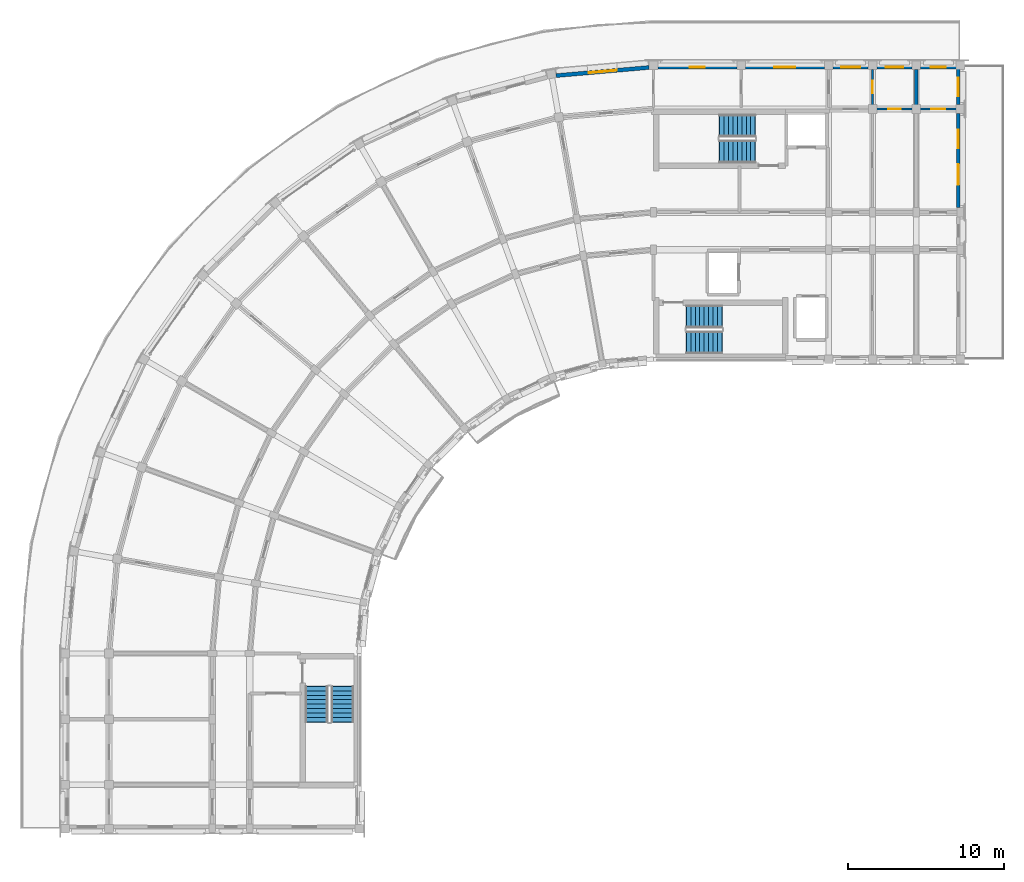
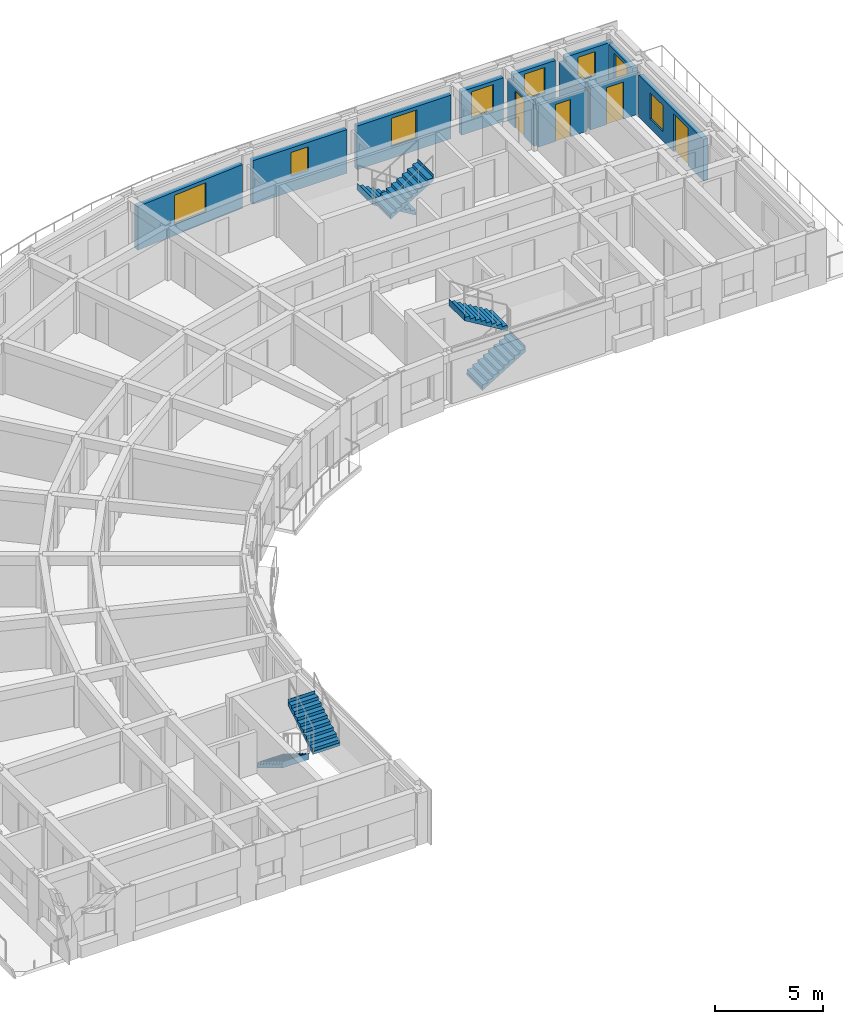
# One storey, part 11 of 16: 12 walls, 8 windows, 6 stair flights, 4 doors, 12 openings, 3 elements without a shape of their own.
"""IFC4 building model written with IfcOpenShell, lengths in metres."""

from ifc_helpers import new_model, si_unit, direction, frame, frame_2d, origin, place, context, subcontext, project, spatial, polyline, rectangle, outline, extrude, material, layer, layer_set, type_object, element, fill, aggregate, save


model = new_model("IFC4")

# Units and contexts
model_context = context("Model", 3, precision=1e-05, world=origin(), true_north=direction((0.0, 1.0)))
body_context = subcontext(model_context, "Body", "Model", "MODEL_VIEW")
ifc_project = project(units=[si_unit("LENGTHUNIT", "METRE"), si_unit("AREAUNIT", "SQUARE_METRE"), si_unit("VOLUMEUNIT", "CUBIC_METRE"), si_unit("PLANEANGLEUNIT", "RADIAN"), si_unit("MASSUNIT", "GRAM", prefix="KILO")], contexts=[model_context])

# Site, building, storey
site_placement = place(None, origin())
site = spatial("IfcSite", under=ifc_project, at=site_placement, CompositionType="ELEMENT")
building_placement = place(site_placement, origin())
building = spatial("IfcBuilding", under=site, at=building_placement, Name="Kiranvali Square Residences", CompositionType="ELEMENT")
storey_placement = place(building_placement, frame((0.0, 0.0, 46.5)))
storey = spatial("IfcBuildingStorey", under=building, at=storey_placement, Name="L14", CompositionType="ELEMENT", Elevation=46.5)

# Wall
ifc_material_1 = material(Name="Autoclaved aerated concrete blockwork masonry", Category="masonry")
ifc_layer_1 = layer(ifc_material_1, 0.219970703125)
ifc_layer_set_1 = layer_set([ifc_layer_1], Name="Autoclaved aerated concrete blockwork masonry")
wall_type_1 = type_object("IfcWallType", Name="WL-DEM-220", PredefinedType="STANDARD", material=ifc_layer_set_1)
wall_1_placement = place(storey_placement, frame((65.0, 122.699951171875, 0.0), z_axis=(0.0, 0.0, 1.0), x_axis=(0.0, 1.0, 0.0)))
element("IfcWall", 1, at=wall_1_placement, inside=storey, type_object=wall_type_1, Name="L14 architectural wall WL-L14-A-A1TO2-2", PredefinedType="STANDARD", context=body_context, shape_type="SweptSolid", body=[
    extrude(rectangle(XDim=2.420166015625, YDim=0.219970703125, at=frame_2d((1.2099609375, 0.0))), origin(), (0.0, 0.0, 1.0), 2.3720703125),
])

# Wall, opening, window
ifc_material_2 = material(Name="Breathable lime-rendered clay brick masonry", Category="masonry")
ifc_layer_2 = layer(ifc_material_2, 0.25)
ifc_layer_set_2 = layer_set([ifc_layer_2], Name="Breathable lime-rendered clay brick masonry")
wall_type_2 = type_object("IfcWallType", Name="WL-EXT-250", PredefinedType="STANDARD", material=ifc_layer_set_2)
wall_2_placement = place(storey_placement, frame((47.911376953125, 125.249267578125, 0.0), z_axis=(0.0, 0.0, 1.0), x_axis=(-0.996195052879, -0.087151687417, 0.0)))
wall_2 = element("IfcWall", 2, at=wall_2_placement, inside=storey, type_object=wall_type_2, Name="L14 exterior wall A-L14-CRV-00", PredefinedType="STANDARD", context=body_context, shape_type="SweptSolid", body=[
    extrude(rectangle(XDim=5.952880859375, YDim=0.25, at=frame_2d((2.9765625, 0.0))), origin(), (0.0, 0.0, 1.0), 2.47998046875),
])
opening_1_placement = place(wall_2_placement, frame((2.076416015625, 0.0, 0.6298828125)))
opening_1 = element("IfcOpeningElement", 3, at=opening_1_placement, cuts=wall_2, Name="Opening W-04", PredefinedType="OPENING", context=body_context, shape_type="SweptSolid", body=[
    extrude(rectangle(XDim=1.800048828125, YDim=1.64990234375, at=frame_2d((0.89990234375, 0.824951171875))), frame((0.0, 0.135009765625, 0.0), z_axis=(0.0, -1.0, 0.0), x_axis=(1.0, 0.0, 0.0)), (0.0, 0.0, 1.0), 0.27001953125),
])
ifc_material_3 = material(Name="Solar-control low-e double glazing", Category="glass")
window_type_1 = type_object("IfcWindowType", Name="WIN-RES-1800x1650", PartitioningType="DOUBLE_PANEL_VERTICAL", PredefinedType="WINDOW", material=ifc_material_3)
window_1_placement = place(opening_1_placement, origin())
window_1 = element("IfcWindow", 4, at=window_1_placement, inside=storey, type_object=window_type_1, Name="L14 recessed window A-L14-CRV-00", OverallHeight=1.64990234375, OverallWidth=1.800048828125, PartitioningType="DOUBLE_PANEL_VERTICAL", PredefinedType="WINDOW", context=body_context, shape_type="SweptSolid", body=[
    extrude(rectangle(XDim=1.800048828125, YDim=1.64990234375, at=frame_2d((0.89990234375, 0.824951171875))), frame((0.0, 0.030029296875, 0.0), z_axis=(0.0, -1.0, 0.0), x_axis=(1.0, 0.0, 0.0)), (0.0, 0.0, 1.0), 0.06005859375),
])
fill(opening_1, window_1)

wall_3_placement = place(storey_placement, frame((48.478515625, 125.27490234375, 0.0), z_axis=(0.0, 0.0, 1.0), x_axis=(1.0, 0.0, 0.0)))
wall_3 = element("IfcWall", 5, at=wall_3_placement, inside=storey, type_object=wall_type_2, Name="L14 exterior wall A-L14-A1O-0", PredefinedType="STANDARD", context=body_context, shape_type="SweptSolid", body=[
    extrude(rectangle(XDim=5.04296875, YDim=0.25, at=frame_2d((2.521484375, 0.0))), origin(), (0.0, 0.0, 1.0), 2.47998046875),
])
opening_2_placement = place(wall_3_placement, frame((2.04638671875, 0.0, 0.8798828125)))
opening_2 = element("IfcOpeningElement", 6, at=opening_2_placement, cuts=wall_3, Name="Opening W-16", PredefinedType="OPENING", context=body_context, shape_type="SweptSolid", body=[
    extrude(rectangle(XDim=0.949951171875, YDim=1.35009765625, at=frame_2d((0.47509765625, 0.675048828125))), frame((0.0, 0.135009765625, 0.0), z_axis=(0.0, -1.0, 0.0), x_axis=(1.0, 0.0, 0.0)), (0.0, 0.0, 1.0), 0.27001953125),
])
window_type_2 = type_object("IfcWindowType", Name="WIN-RES-950x1350", PartitioningType="SINGLE_PANEL", PredefinedType="WINDOW", material=ifc_material_3)
window_2_placement = place(opening_2_placement, origin())
window_2 = element("IfcWindow", 7, at=window_2_placement, inside=storey, type_object=window_type_2, Name="L14 recessed window A-L14-A1O-0", OverallHeight=1.35009765625, OverallWidth=0.949951171875, PartitioningType="SINGLE_PANEL", PredefinedType="WINDOW", context=body_context, shape_type="SweptSolid", body=[
    extrude(rectangle(XDim=0.949951171875, YDim=1.35009765625, at=frame_2d((0.47509765625, 0.675048828125))), frame((0.0, 0.030029296875, 0.0), z_axis=(0.0, -1.0, 0.0), x_axis=(1.0, 0.0, 0.0)), (0.0, 0.0, 1.0), 0.06005859375),
])
fill(opening_2, window_2)

wall_4_placement = place(storey_placement, frame((54.07861328125, 125.27490234375, 0.0), z_axis=(0.0, 0.0, 1.0), x_axis=(1.0, 0.0, 0.0)))
wall_4 = element("IfcWall", 8, at=wall_4_placement, inside=storey, type_object=wall_type_2, Name="L14 exterior wall A-L14-A1O-1", PredefinedType="STANDARD", context=body_context, shape_type="SweptSolid", body=[
    extrude(rectangle(XDim=5.04296875, YDim=0.25, at=frame_2d((2.521484375, 0.0))), origin(), (0.0, 0.0, 1.0), 2.47998046875),
])
opening_3_placement = place(wall_4_placement, frame((1.846435546875, 0.0, 0.679931640625)))
opening_3 = element("IfcOpeningElement", 9, at=opening_3_placement, cuts=wall_4, Name="Opening W-14", PredefinedType="OPENING", context=body_context, shape_type="SweptSolid", body=[
    extrude(rectangle(XDim=1.35009765625, YDim=1.60009765625, at=frame_2d((0.675048828125, 0.800048828125))), frame((0.0, 0.135009765625, 0.0), z_axis=(0.0, -1.0, 0.0), x_axis=(1.0, 0.0, 0.0)), (0.0, 0.0, 1.0), 0.27001953125),
])
window_type_3 = type_object("IfcWindowType", Name="WIN-RES-1350x1600", PartitioningType="DOUBLE_PANEL_VERTICAL", PredefinedType="WINDOW", material=ifc_material_3)
window_3_placement = place(opening_3_placement, origin())
window_3 = element("IfcWindow", 10, at=window_3_placement, inside=storey, type_object=window_type_3, Name="L14 recessed window A-L14-A1O-1", OverallHeight=1.60009765625, OverallWidth=1.35009765625, PartitioningType="DOUBLE_PANEL_VERTICAL", PredefinedType="WINDOW", context=body_context, shape_type="SweptSolid", body=[
    extrude(rectangle(XDim=1.35009765625, YDim=1.60009765625, at=frame_2d((0.675048828125, 0.800048828125))), frame((0.0, 0.030029296875, 0.0), z_axis=(0.0, -1.0, 0.0), x_axis=(1.0, 0.0, 0.0)), (0.0, 0.0, 1.0), 0.06005859375),
])
fill(opening_3, window_3)

wall_5_placement = place(storey_placement, frame((59.678466796875, 125.27490234375, 0.0), z_axis=(0.0, 0.0, 1.0), x_axis=(1.0, 0.0, 0.0)))
wall_5 = element("IfcWall", 11, at=wall_5_placement, inside=storey, type_object=wall_type_2, Name="L14 exterior wall A-L14-A1O-2", PredefinedType="STANDARD", context=body_context, shape_type="SweptSolid", body=[
    extrude(rectangle(XDim=2.242919921875, YDim=0.25, at=frame_2d((1.12158203125, 0.0))), origin(), (0.0, 0.0, 1.0), 2.47998046875),
])
opening_4_placement = place(wall_5_placement, frame((0.521484375, 0.0, 0.780029296875)))
opening_4 = element("IfcOpeningElement", 12, at=opening_4_placement, cuts=wall_5, Name="Opening W-06", PredefinedType="OPENING", context=body_context, shape_type="SweptSolid", body=[
    extrude(rectangle(XDim=1.199951171875, YDim=1.5, at=frame_2d((0.60009765625, 0.75))), frame((0.0, 0.135009765625, 0.0), z_axis=(0.0, -1.0, 0.0), x_axis=(1.0, 0.0, 0.0)), (0.0, 0.0, 1.0), 0.27001953125),
])
window_type_4 = type_object("IfcWindowType", Name="WIN-RES-1200x1500", PartitioningType="SINGLE_PANEL", PredefinedType="WINDOW", material=ifc_material_3)
window_4_placement = place(opening_4_placement, origin())
window_4 = element("IfcWindow", 13, at=window_4_placement, inside=storey, type_object=window_type_4, Name="L14 recessed window A-L14-A1O-2", OverallHeight=1.5, OverallWidth=1.199951171875, PartitioningType="SINGLE_PANEL", PredefinedType="WINDOW", context=body_context, shape_type="SweptSolid", body=[
    extrude(rectangle(XDim=1.199951171875, YDim=1.5, at=frame_2d((0.60009765625, 0.75))), frame((0.0, 0.030029296875, 0.0), z_axis=(0.0, -1.0, 0.0), x_axis=(1.0, 0.0, 0.0)), (0.0, 0.0, 1.0), 0.06005859375),
])
fill(opening_4, window_4)

wall_6_placement = place(storey_placement, frame((62.478515625, 125.27490234375, 0.0), z_axis=(0.0, 0.0, 1.0), x_axis=(1.0, 0.0, 0.0)))
wall_6 = element("IfcWall", 14, at=wall_6_placement, inside=storey, type_object=wall_type_2, Name="L14 exterior wall A-L14-A1O-3", PredefinedType="STANDARD", context=body_context, shape_type="SweptSolid", body=[
    extrude(rectangle(XDim=2.242919921875, YDim=0.25, at=frame_2d((1.12158203125, 0.0))), origin(), (0.0, 0.0, 1.0), 2.47998046875),
])
opening_5_placement = place(wall_6_placement, frame((0.571533203125, 0.0, 0.830078125)))
opening_5 = element("IfcOpeningElement", 15, at=opening_5_placement, cuts=wall_6, Name="Opening W-15", PredefinedType="OPENING", context=body_context, shape_type="SweptSolid", body=[
    extrude(rectangle(XDim=1.10009765625, YDim=1.449951171875, at=frame_2d((0.550048828125, 0.72509765625))), frame((0.0, 0.135009765625, 0.0), z_axis=(0.0, -1.0, 0.0), x_axis=(1.0, 0.0, 0.0)), (0.0, 0.0, 1.0), 0.27001953125),
])
window_type_5 = type_object("IfcWindowType", Name="WIN-RES-1100x1450", PartitioningType="SINGLE_PANEL", PredefinedType="WINDOW", material=ifc_material_3)
window_5_placement = place(opening_5_placement, origin())
window_5 = element("IfcWindow", 16, at=window_5_placement, inside=storey, type_object=window_type_5, Name="L14 recessed window A-L14-A1O-3", OverallHeight=1.449951171875, OverallWidth=1.10009765625, PartitioningType="SINGLE_PANEL", PredefinedType="WINDOW", context=body_context, shape_type="SweptSolid", body=[
    extrude(rectangle(XDim=1.10009765625, YDim=1.449951171875, at=frame_2d((0.550048828125, 0.72509765625))), frame((0.0, 0.030029296875, 0.0), z_axis=(0.0, -1.0, 0.0), x_axis=(1.0, 0.0, 0.0)), (0.0, 0.0, 1.0), 0.06005859375),
])
fill(opening_5, window_5)

wall_7_placement = place(storey_placement, frame((65.278564453125, 125.27490234375, 0.0), z_axis=(0.0, 0.0, 1.0), x_axis=(1.0, 0.0, 0.0)))
wall_7 = element("IfcWall", 17, at=wall_7_placement, inside=storey, type_object=wall_type_2, Name="L14 exterior wall A-L14-A1O-4", PredefinedType="STANDARD", context=body_context, shape_type="SweptSolid", body=[
    extrude(rectangle(XDim=2.521484375, YDim=0.25, at=frame_2d((1.2607421875, 0.0))), origin(), (0.0, 0.0, 1.0), 2.47998046875),
])
opening_6_placement = place(wall_7_placement, frame((0.646484375, 0.0, 0.8798828125)))
opening_6 = element("IfcOpeningElement", 18, at=opening_6_placement, cuts=wall_7, Name="Opening W-16", PredefinedType="OPENING", context=body_context, shape_type="SweptSolid", body=[
    extrude(rectangle(XDim=0.949951171875, YDim=1.35009765625, at=frame_2d((0.47509765625, 0.675048828125))), frame((0.0, 0.135009765625, 0.0), z_axis=(0.0, -1.0, 0.0), x_axis=(1.0, 0.0, 0.0)), (0.0, 0.0, 1.0), 0.27001953125),
])
window_6_placement = place(opening_6_placement, origin())
window_6 = element("IfcWindow", 19, at=window_6_placement, inside=storey, type_object=window_type_2, Name="L14 recessed window A-L14-A1O-4", OverallHeight=1.35009765625, OverallWidth=0.949951171875, PartitioningType="SINGLE_PANEL", PredefinedType="WINDOW", context=body_context, shape_type="SweptSolid", body=[
    extrude(rectangle(XDim=0.949951171875, YDim=1.35009765625, at=frame_2d((0.47509765625, 0.675048828125))), frame((0.0, 0.030029296875, 0.0), z_axis=(0.0, -1.0, 0.0), x_axis=(1.0, 0.0, 0.0)), (0.0, 0.0, 1.0), 0.06005859375),
])
fill(opening_6, window_6)

# Wall, openings, door, window
wall_8_placement = place(storey_placement, frame((67.675048828125, 116.303466796875, 0.0), z_axis=(0.0, 0.0, 1.0), x_axis=(0.0, 1.0, 0.0)))
wall_8 = element("IfcWall", 20, at=wall_8_placement, inside=storey, type_object=wall_type_2, Name="L14 exterior wall A-L14-A1END-2", PredefinedType="STANDARD", context=body_context, shape_type="SweptSolid", body=[
    extrude(rectangle(XDim=6.01806640625, YDim=0.25, at=frame_2d((3.009033203125, 0.0))), origin(), (0.0, 0.0, 1.0), 2.3720703125),
])
opening_7_placement = place(wall_8_placement, frame((3.77880859375, 0.0, 0.52197265625)))
opening_7 = element("IfcOpeningElement", 21, at=opening_7_placement, cuts=wall_8, Name="Opening W-06", PredefinedType="OPENING", context=body_context, shape_type="SweptSolid", body=[
    extrude(rectangle(XDim=1.199951171875, YDim=1.5, at=frame_2d((0.60009765625, 0.75))), frame((0.0, 0.135009765625, 0.0), z_axis=(0.0, -1.0, 0.0), x_axis=(1.0, 0.0, 0.0)), (0.0, 0.0, 1.0), 0.27001953125),
])
opening_8_placement = place(wall_8_placement, frame((1.4462890625, 0.0, 0.0)))
opening_8 = element("IfcOpeningElement", 22, at=opening_8_placement, cuts=wall_8, Name="Opening ED-BAL-3", PredefinedType="OPENING", context=body_context, shape_type="SweptSolid", body=[
    extrude(rectangle(XDim=1.320068359375, YDim=2.14990234375, at=frame_2d((0.66015625, 1.074951171875))), frame((0.0, 0.135009765625, 0.0), z_axis=(0.0, -1.0, 0.0), x_axis=(1.0, 0.0, 0.0)), (0.0, 0.0, 1.0), 0.27001953125),
])
ifc_material_4 = material(Name="Anodised bronze aluminium framing", Category="aluminium")
door_type_1 = type_object("IfcDoorType", Name="DR-BAL-1320", OperationType="NOTDEFINED", PredefinedType="DOOR", material=ifc_material_4)
door_1_placement = place(opening_8_placement, frame((1.320068359375, 0.0, 0.0), z_axis=(0.0, 0.0, 1.0), x_axis=(-1.0, 0.0, 0.0)))
door_1 = element("IfcDoor", 23, at=door_1_placement, inside=storey, type_object=door_type_1, Name="L14 balcony terrace door", OperationType="SINGLE_SWING_LEFT", OverallHeight=2.14990234375, OverallWidth=1.320068359375, PredefinedType="DOOR", context=body_context, shape_type="SweptSolid", body=[
    extrude(rectangle(XDim=1.320068359375, YDim=2.14990234375, at=frame_2d((0.66015625, 1.074951171875))), frame((0.0, 0.02490234375, 0.0), z_axis=(0.0, -1.0, 0.0), x_axis=(1.0, 0.0, 0.0)), (0.0, 0.0, 1.0), 0.050048828125),
])
fill(opening_8, door_1)
window_7_placement = place(opening_7_placement, origin())
window_7 = element("IfcWindow", 24, at=window_7_placement, inside=storey, type_object=window_type_4, Name="L14 recessed window A-L14-A1END-2", OverallHeight=1.5, OverallWidth=1.199951171875, PartitioningType="SINGLE_PANEL", PredefinedType="WINDOW", context=body_context, shape_type="SweptSolid", body=[
    extrude(rectangle(XDim=1.199951171875, YDim=1.5, at=frame_2d((0.60009765625, 0.75))), frame((0.0, 0.030029296875, 0.0), z_axis=(0.0, -1.0, 0.0), x_axis=(1.0, 0.0, 0.0)), (0.0, 0.0, 1.0), 0.06005859375),
])
fill(opening_7, window_7)

# Wall, opening, window
wall_9_placement = place(storey_placement, frame((67.675048828125, 122.87841796875, 0.0), z_axis=(0.0, 0.0, 1.0), x_axis=(0.0, 1.0, 0.0)))
wall_9 = element("IfcWall", 25, at=wall_9_placement, inside=storey, type_object=wall_type_2, Name="L14 exterior wall A-L14-A1END-3", PredefinedType="STANDARD", context=body_context, shape_type="SweptSolid", body=[
    extrude(rectangle(XDim=2.2685546875, YDim=0.25, at=frame_2d((1.13427734375, 0.0))), origin(), (0.0, 0.0, 1.0), 2.412109375),
])
opening_9_placement = place(wall_9_placement, frame((0.521484375, 0.0, 0.7119140625)))
opening_9 = element("IfcOpeningElement", 26, at=opening_9_placement, cuts=wall_9, Name="Opening W-06", PredefinedType="OPENING", context=body_context, shape_type="SweptSolid", body=[
    extrude(rectangle(XDim=1.199951171875, YDim=1.5, at=frame_2d((0.60009765625, 0.75))), frame((0.0, 0.135009765625, 0.0), z_axis=(0.0, -1.0, 0.0), x_axis=(1.0, 0.0, 0.0)), (0.0, 0.0, 1.0), 0.27001953125),
])
window_8_placement = place(opening_9_placement, origin())
window_8 = element("IfcWindow", 27, at=window_8_placement, inside=storey, type_object=window_type_4, Name="L14 recessed window A-L14-A1END-3", OverallHeight=1.5, OverallWidth=1.199951171875, PartitioningType="SINGLE_PANEL", PredefinedType="WINDOW", context=body_context, shape_type="SweptSolid", body=[
    extrude(rectangle(XDim=1.199951171875, YDim=1.5, at=frame_2d((0.60009765625, 0.75))), frame((0.0, 0.030029296875, 0.0), z_axis=(0.0, -1.0, 0.0), x_axis=(1.0, 0.0, 0.0)), (0.0, 0.0, 1.0), 0.06005859375),
])
fill(opening_9, window_8)

# Wall, opening, door
ifc_material_5 = material(Name="Acoustic gypsum board drylined partition", Category="gypsum")
ifc_layer_3 = layer(ifc_material_5, 0.14990234375)
ifc_layer_set_3 = layer_set([ifc_layer_3], Name="Acoustic gypsum board drylined partition")
wall_type_3 = type_object("IfcWallType", Name="WL-PRT-150", PredefinedType="PARTITIONING", material=ifc_layer_set_3)
wall_10_placement = place(storey_placement, frame((62.199951171875, 122.699951171875, 0.0), z_axis=(0.0, 0.0, 1.0), x_axis=(0.0, 1.0, 0.0)))
wall_10 = element("IfcWall", 28, at=wall_10_placement, inside=storey, type_object=wall_type_3, Name="L14 architectural wall WL-L14-A-A1TO2-1", PredefinedType="PARTITIONING", context=body_context, shape_type="SweptSolid", body=[
    extrude(rectangle(XDim=2.420166015625, YDim=0.14990234375, at=frame_2d((1.2099609375, 0.0))), origin(), (0.0, 0.0, 1.0), 2.3720703125),
])
opening_10_placement = place(wall_10_placement, frame((0.89990234375, 0.0, 0.0)))
opening_10 = element("IfcOpeningElement", 29, at=opening_10_placement, cuts=wall_10, Name="Opening ID-WET", PredefinedType="OPENING", context=body_context, shape_type="SweptSolid", body=[
    extrude(rectangle(XDim=0.800048828125, YDim=2.10009765625, at=frame_2d((0.39990234375, 1.050048828125))), frame((0.0, 0.0849609375, 0.0), z_axis=(0.0, -1.0, 0.0), x_axis=(1.0, 0.0, 0.0)), (0.0, 0.0, 1.0), 0.169921875),
])
ifc_material_6 = material(Name="Solid seasoned teak hardwood joinery", Category="wood")
door_type_2 = type_object("IfcDoorType", Name="DR-WET-800", OperationType="NOTDEFINED", PredefinedType="DOOR", material=ifc_material_6)
door_2_placement = place(opening_10_placement, frame((0.800048828125, 0.0, 0.0), z_axis=(0.0, 0.0, 1.0), x_axis=(-1.0, 0.0, 0.0)))
door_2 = element("IfcDoor", 30, at=door_2_placement, inside=storey, type_object=door_type_2, Name="L14 door DR-L14-0870 (DR-WET-800)", OperationType="SINGLE_SWING_RIGHT", OverallHeight=2.10009765625, OverallWidth=0.800048828125, PredefinedType="DOOR", context=body_context, shape_type="SweptSolid", body=[
    extrude(rectangle(XDim=0.800048828125, YDim=2.10009765625, at=frame_2d((0.39990234375, 1.050048828125))), frame((0.0, 0.02490234375, 0.0), z_axis=(0.0, -1.0, 0.0), x_axis=(1.0, 0.0, 0.0)), (0.0, 0.0, 1.0), 0.050048828125),
])
fill(opening_10, door_2)

ifc_layer_4 = layer(ifc_material_1, 0.14990234375)
ifc_layer_set_4 = layer_set([ifc_layer_4], Name="Autoclaved aerated concrete blockwork masonry")
wall_type_4 = type_object("IfcWallType", Name="WL-WET-150", PredefinedType="PLUMBINGWALL", material=ifc_layer_set_4)
wall_11_placement = place(storey_placement, frame((62.280029296875, 122.60009765625, 0.0), z_axis=(0.0, 0.0, 1.0), x_axis=(1.0, 0.0, 0.0)))
wall_11 = element("IfcWall", 31, at=wall_11_placement, inside=storey, type_object=wall_type_4, Name="L14 architectural wall WL-L14-A-A1SP-1", PredefinedType="PLUMBINGWALL", context=body_context, shape_type="SweptSolid", body=[
    extrude(rectangle(XDim=2.639892578125, YDim=0.14990234375, at=frame_2d((1.31982421875, 0.0))), origin(), (0.0, 0.0, 1.0), 2.3720703125),
])
opening_11_placement = place(wall_11_placement, frame((0.919921875, 0.0, 0.0)))
opening_11 = element("IfcOpeningElement", 32, at=opening_11_placement, cuts=wall_11, Name="Opening ID-WET", PredefinedType="OPENING", context=body_context, shape_type="SweptSolid", body=[
    extrude(rectangle(XDim=0.800048828125, YDim=2.10009765625, at=frame_2d((0.39990234375, 1.050048828125))), frame((0.0, 0.0849609375, 0.0), z_axis=(0.0, -1.0, 0.0), x_axis=(1.0, 0.0, 0.0)), (0.0, 0.0, 1.0), 0.169921875),
])
door_3_placement = place(opening_11_placement, origin())
door_3 = element("IfcDoor", 33, at=door_3_placement, inside=storey, type_object=door_type_2, Name="L14 door DR-L14-0863 (DR-WET-800)", OperationType="SINGLE_SWING_LEFT", OverallHeight=2.10009765625, OverallWidth=0.800048828125, PredefinedType="DOOR", context=body_context, shape_type="SweptSolid", body=[
    extrude(rectangle(XDim=0.800048828125, YDim=2.10009765625, at=frame_2d((0.39990234375, 1.050048828125))), frame((0.0, 0.02490234375, 0.0), z_axis=(0.0, -1.0, 0.0), x_axis=(1.0, 0.0, 0.0)), (0.0, 0.0, 1.0), 0.050048828125),
])
fill(opening_11, door_3)

wall_12_placement = place(storey_placement, frame((65.080078125, 122.60009765625, 0.0), z_axis=(0.0, 0.0, 1.0), x_axis=(1.0, 0.0, 0.0)))
wall_12 = element("IfcWall", 34, at=wall_12_placement, inside=storey, type_object=wall_type_4, Name="L14 architectural wall WL-L14-A-A1SP-2", PredefinedType="PLUMBINGWALL", context=body_context, shape_type="SweptSolid", body=[
    extrude(rectangle(XDim=2.639892578125, YDim=0.14990234375, at=frame_2d((1.31982421875, 0.0))), origin(), (0.0, 0.0, 1.0), 2.3720703125),
])
opening_12_placement = place(wall_12_placement, frame((0.8701171875, 0.0, 0.0)))
opening_12 = element("IfcOpeningElement", 35, at=opening_12_placement, cuts=wall_12, Name="Opening ID-1", PredefinedType="OPENING", context=body_context, shape_type="SweptSolid", body=[
    extrude(rectangle(XDim=0.89990234375, YDim=2.10009765625, at=frame_2d((0.449951171875, 1.050048828125))), frame((0.0, 0.0849609375, 0.0), z_axis=(0.0, -1.0, 0.0), x_axis=(1.0, 0.0, 0.0)), (0.0, 0.0, 1.0), 0.169921875),
])
door_type_3 = type_object("IfcDoorType", Name="DR-INT-900", OperationType="NOTDEFINED", PredefinedType="DOOR", material=ifc_material_6)
door_4_placement = place(opening_12_placement, origin())
door_4 = element("IfcDoor", 36, at=door_4_placement, inside=storey, type_object=door_type_3, Name="L14 door DR-L14-0865 (DR-INT-900)", OperationType="SINGLE_SWING_LEFT", OverallHeight=2.10009765625, OverallWidth=0.89990234375, PredefinedType="DOOR", context=body_context, shape_type="SweptSolid", body=[
    extrude(rectangle(XDim=0.89990234375, YDim=2.10009765625, at=frame_2d((0.449951171875, 1.050048828125))), frame((0.0, 0.02490234375, 0.0), z_axis=(0.0, -1.0, 0.0), x_axis=(1.0, 0.0, 0.0)), (0.0, 0.0, 1.0), 0.050048828125),
])
fill(opening_12, door_4)

# Stair, stair flights
ifc_material_7 = material(Name="Concrete M35 (35 MPa)", Category="concrete")
stair_type = type_object("IfcStairType", Name="ST-CORE-1700", PredefinedType="HALF_TURN_STAIR", material=ifc_material_7)
stair_1_placement = place(storey_placement, origin())
stair_1 = element("IfcStair", 37, at=stair_1_placement, inside=storey, type_object=stair_type, Name="L14 Block A Firefighting Exit Stair 1", PredefinedType="HALF_TURN_STAIR")
stair_flight_type = type_object("IfcStairFlightType", Name="STF-1700", PredefinedType="STRAIGHT", material=ifc_material_7)
stair_flight_1_placement = place(storey_placement, frame((54.699951171875, 121.52490234375, 0.0), z_axis=(0.0, 0.0, 1.0), x_axis=(-1.0, 0.0, 0.0)))
stair_flight_1 = element("IfcStairFlight", 38, at=stair_flight_1_placement, type_object=stair_flight_type, Name="ST-A1 flight 1", NumberOfRisers=9, NumberOfTreads=8, PredefinedType="STRAIGHT", RiserHeight=0.175, TreadLength=0.285, context=body_context, shape_type="SweptSolid", body=[
    extrude(outline(polyline([(-0.02001953125, -0.14990234375), (-0.02001953125, 0.0), (0.0, 0.0), (0.0, 0.175048828125), (0.284912109375, 0.175048828125), (0.284912109375, 0.35009765625), (0.570068359375, 0.35009765625), (0.570068359375, 0.52490234375), (0.85498046875, 0.52490234375), (0.85498046875, 0.699951171875), (1.139892578125, 0.699951171875), (1.139892578125, 0.875), (1.425048828125, 0.875), (1.425048828125, 1.050048828125), (1.7099609375, 1.050048828125), (1.7099609375, 1.22509765625), (1.9951171875, 1.22509765625), (1.9951171875, 1.39990234375), (2.280029296875, 1.39990234375), (2.280029296875, 1.574951171875), (2.300048828125, 1.574951171875), (2.300048828125, 1.22412109375), (2.280029296875, 1.22412109375), (0.0, -0.14990234375), (-0.02001953125, -0.14990234375)])), frame((0.0, 0.72509765625, 0.0), z_axis=(0.0, -1.0, 0.0), x_axis=(1.0, 0.0, 0.0)), (0.0, 0.0, 1.0), 1.449951171875),
])
stair_flight_2_placement = place(storey_placement, frame((52.419921875, 119.875, 1.574951171875), z_axis=(0.0, 0.0, 1.0), x_axis=(1.0, 0.0, 0.0)))
stair_flight_2 = element("IfcStairFlight", 39, at=stair_flight_2_placement, type_object=stair_flight_type, Name="ST-A1 flight 2", NumberOfRisers=9, NumberOfTreads=8, PredefinedType="STRAIGHT", RiserHeight=0.175, TreadLength=0.285, context=body_context, shape_type="SweptSolid", body=[
    extrude(outline(polyline([(-0.02001953125, -0.14990234375), (-0.02001953125, 0.0), (0.0, 0.0), (0.0, 0.175048828125), (0.284912109375, 0.175048828125), (0.284912109375, 0.35009765625), (0.570068359375, 0.35009765625), (0.570068359375, 0.52490234375), (0.85498046875, 0.52490234375), (0.85498046875, 0.699951171875), (1.139892578125, 0.699951171875), (1.139892578125, 0.875), (1.425048828125, 0.875), (1.425048828125, 1.050048828125), (1.7099609375, 1.050048828125), (1.7099609375, 1.22509765625), (1.9951171875, 1.22509765625), (1.9951171875, 1.39990234375), (2.280029296875, 1.39990234375), (2.280029296875, 1.574951171875), (2.300048828125, 1.574951171875), (2.300048828125, 1.22412109375), (2.280029296875, 1.22412109375), (0.0, -0.14990234375), (-0.02001953125, -0.14990234375)])), frame((0.0, 0.72509765625, 0.0), z_axis=(0.0, -1.0, 0.0), x_axis=(1.0, 0.0, 0.0)), (0.0, 0.0, 1.0), 1.449951171875),
])
aggregate(stair_1, [stair_flight_1, stair_flight_2])

stair_2_placement = place(storey_placement, origin())
stair_2 = element("IfcStair", 40, at=stair_2_placement, inside=storey, type_object=stair_type, Name="L14 Block A Protected Exit Stair 2", PredefinedType="HALF_TURN_STAIR")
stair_flight_3_placement = place(storey_placement, frame((50.300048828125, 107.675048828125, 0.0), z_axis=(0.0, 0.0, 1.0), x_axis=(1.0, 0.0, 0.0)))
stair_flight_3 = element("IfcStairFlight", 41, at=stair_flight_3_placement, type_object=stair_flight_type, Name="ST-A2 flight 1", NumberOfRisers=9, NumberOfTreads=8, PredefinedType="STRAIGHT", RiserHeight=0.175, TreadLength=0.285, context=body_context, shape_type="SweptSolid", body=[
    extrude(outline(polyline([(-0.02001953125, -0.14990234375), (-0.02001953125, 0.0), (0.0, 0.0), (0.0, 0.175048828125), (0.284912109375, 0.175048828125), (0.284912109375, 0.35009765625), (0.570068359375, 0.35009765625), (0.570068359375, 0.52490234375), (0.85498046875, 0.52490234375), (0.85498046875, 0.699951171875), (1.139892578125, 0.699951171875), (1.139892578125, 0.875), (1.425048828125, 0.875), (1.425048828125, 1.050048828125), (1.7099609375, 1.050048828125), (1.7099609375, 1.22509765625), (1.9951171875, 1.22509765625), (1.9951171875, 1.39990234375), (2.280029296875, 1.39990234375), (2.280029296875, 1.574951171875), (2.300048828125, 1.574951171875), (2.300048828125, 1.22412109375), (2.280029296875, 1.22412109375), (0.0, -0.14990234375), (-0.02001953125, -0.14990234375)])), frame((0.0, 0.72509765625, 0.0), z_axis=(0.0, -1.0, 0.0), x_axis=(1.0, 0.0, 0.0)), (0.0, 0.0, 1.0), 1.449951171875),
])
stair_flight_4_placement = place(storey_placement, frame((52.580078125, 109.324951171875, 1.574951171875), z_axis=(0.0, 0.0, 1.0), x_axis=(-1.0, 0.0, 0.0)))
stair_flight_4 = element("IfcStairFlight", 42, at=stair_flight_4_placement, type_object=stair_flight_type, Name="ST-A2 flight 2", NumberOfRisers=9, NumberOfTreads=8, PredefinedType="STRAIGHT", RiserHeight=0.175, TreadLength=0.285, context=body_context, shape_type="SweptSolid", body=[
    extrude(outline(polyline([(-0.02001953125, -0.14990234375), (-0.02001953125, 0.0), (0.0, 0.0), (0.0, 0.175048828125), (0.284912109375, 0.175048828125), (0.284912109375, 0.35009765625), (0.570068359375, 0.35009765625), (0.570068359375, 0.52490234375), (0.85498046875, 0.52490234375), (0.85498046875, 0.699951171875), (1.139892578125, 0.699951171875), (1.139892578125, 0.875), (1.425048828125, 0.875), (1.425048828125, 1.050048828125), (1.7099609375, 1.050048828125), (1.7099609375, 1.22509765625), (1.9951171875, 1.22509765625), (1.9951171875, 1.39990234375), (2.280029296875, 1.39990234375), (2.280029296875, 1.574951171875), (2.300048828125, 1.574951171875), (2.300048828125, 1.22412109375), (2.280029296875, 1.22412109375), (0.0, -0.14990234375), (-0.02001953125, -0.14990234375)])), frame((0.0, 0.72509765625, 0.0), z_axis=(0.0, -1.0, 0.0), x_axis=(1.0, 0.0, 0.0)), (0.0, 0.0, 1.0), 1.449951171875),
])
aggregate(stair_2, [stair_flight_3, stair_flight_4])

stair_3_placement = place(storey_placement, origin())
stair_3 = element("IfcStair", 43, at=stair_3_placement, inside=storey, type_object=stair_type, Name="L14 Block A Wing Protected Exit Stair 3", PredefinedType="HALF_TURN_STAIR")
stair_flight_5_placement = place(storey_placement, frame((26.675048828125, 85.699951171875, 0.0), z_axis=(0.0, 0.0, 1.0), x_axis=(0.0, -1.0, 0.0)))
stair_flight_5 = element("IfcStairFlight", 44, at=stair_flight_5_placement, type_object=stair_flight_type, Name="ST-A3 flight 1", NumberOfRisers=9, NumberOfTreads=8, PredefinedType="STRAIGHT", RiserHeight=0.175, TreadLength=0.285, context=body_context, shape_type="SweptSolid", body=[
    extrude(outline(polyline([(-0.02001953125, -0.14990234375), (-0.02001953125, 0.0), (0.0, 0.0), (0.0, 0.175048828125), (0.284912109375, 0.175048828125), (0.284912109375, 0.35009765625), (0.570068359375, 0.35009765625), (0.570068359375, 0.52490234375), (0.85498046875, 0.52490234375), (0.85498046875, 0.699951171875), (1.139892578125, 0.699951171875), (1.139892578125, 0.875), (1.425048828125, 0.875), (1.425048828125, 1.050048828125), (1.7099609375, 1.050048828125), (1.7099609375, 1.22509765625), (1.9951171875, 1.22509765625), (1.9951171875, 1.39990234375), (2.280029296875, 1.39990234375), (2.280029296875, 1.574951171875), (2.300048828125, 1.574951171875), (2.300048828125, 1.22412109375), (2.280029296875, 1.22412109375), (0.0, -0.14990234375), (-0.02001953125, -0.14990234375)])), frame((0.0, 0.72509765625, 0.0), z_axis=(0.0, -1.0, 0.0), x_axis=(1.0, 0.0, 0.0)), (0.0, 0.0, 1.0), 1.449951171875),
])
stair_flight_6_placement = place(storey_placement, frame((28.324951171875, 83.419921875, 1.574951171875), z_axis=(0.0, 0.0, 1.0), x_axis=(0.0, 1.0, 0.0)))
stair_flight_6 = element("IfcStairFlight", 45, at=stair_flight_6_placement, type_object=stair_flight_type, Name="ST-A3 flight 2", NumberOfRisers=9, NumberOfTreads=8, PredefinedType="STRAIGHT", RiserHeight=0.175, TreadLength=0.285, context=body_context, shape_type="SweptSolid", body=[
    extrude(outline(polyline([(-0.02001953125, -0.14990234375), (-0.02001953125, 0.0), (0.0, 0.0), (0.0, 0.175048828125), (0.284912109375, 0.175048828125), (0.284912109375, 0.35009765625), (0.570068359375, 0.35009765625), (0.570068359375, 0.52490234375), (0.85498046875, 0.52490234375), (0.85498046875, 0.699951171875), (1.139892578125, 0.699951171875), (1.139892578125, 0.875), (1.425048828125, 0.875), (1.425048828125, 1.050048828125), (1.7099609375, 1.050048828125), (1.7099609375, 1.22509765625), (1.9951171875, 1.22509765625), (1.9951171875, 1.39990234375), (2.280029296875, 1.39990234375), (2.280029296875, 1.574951171875), (2.300048828125, 1.574951171875), (2.300048828125, 1.22412109375), (2.280029296875, 1.22412109375), (0.0, -0.14990234375), (-0.02001953125, -0.14990234375)])), frame((0.0, 0.72509765625, 0.0), z_axis=(0.0, -1.0, 0.0), x_axis=(1.0, 0.0, 0.0)), (0.0, 0.0, 1.0), 1.449951171875),
])
aggregate(stair_3, [stair_flight_5, stair_flight_6])

save(model, "model.ifc")
